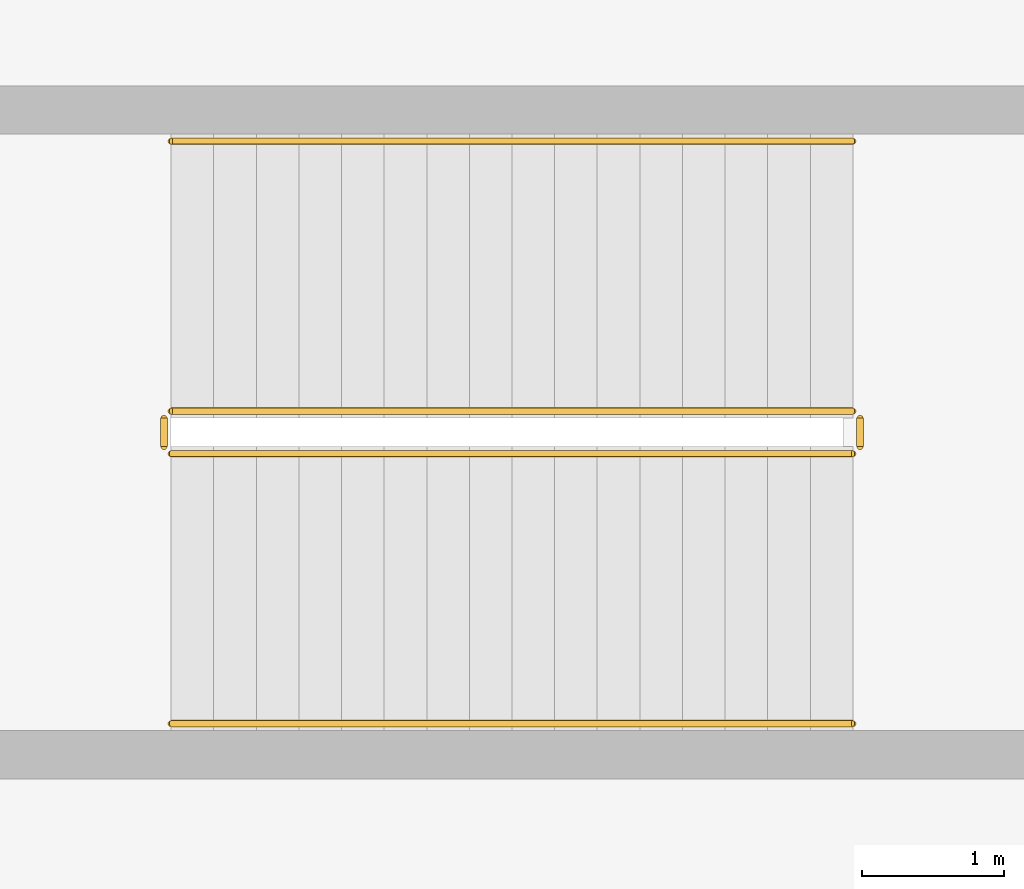
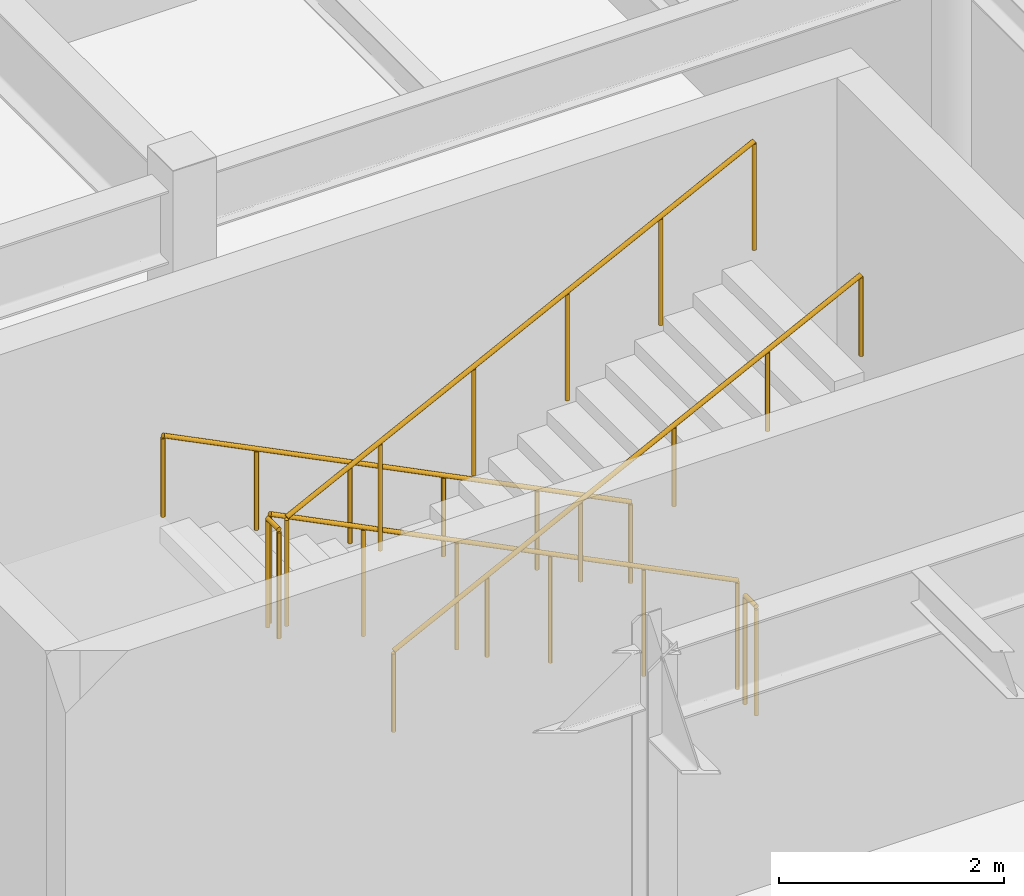
# One storey, part 52 of 57: 6 railings.
"""IFC4 building model written with IfcOpenShell, lengths in metres."""

from ifc_helpers import new_model, si_unit, direction, frame, origin, origin_2d, place, context, subcontext, project, spatial, circle, extrude, material, type_object, element, save


model = new_model("IFC4")

# Units and contexts
model_context = context("Model", 3, precision=1e-05, world=origin(), true_north=direction((0.0, 1.0)))
body_context = subcontext(model_context, "Body", "Model", "MODEL_VIEW")
ifc_project = project(units=[si_unit("LENGTHUNIT", "METRE"), si_unit("AREAUNIT", "SQUARE_METRE"), si_unit("VOLUMEUNIT", "CUBIC_METRE"), si_unit("PLANEANGLEUNIT", "RADIAN"), si_unit("MASSUNIT", "GRAM", prefix="KILO"), si_unit("THERMODYNAMICTEMPERATUREUNIT", "KELVIN")], contexts=[model_context])

# Site, building, storey
site_placement = place(None, origin())
site = spatial("IfcSite", under=ifc_project, at=site_placement, CompositionType="ELEMENT")
building_placement = place(site_placement, origin())
building = spatial("IfcBuilding", under=site, at=building_placement, Name="Lustrewick Department Store", CompositionType="ELEMENT")
storey_placement = place(building_placement, frame((0.0, 0.0, 26.699951171875)))
storey = spatial("IfcBuildingStorey", under=building, at=storey_placement, Name="L06", CompositionType="ELEMENT", Elevation=26.699951171875)

# Railings
ifc_material_1 = material(Name="Painted tubular steel stairwell guardrail", Category="steel")
railing_type_1 = type_object("IfcRailingType", Name="RL-STG", PredefinedType="GUARDRAIL", material=ifc_material_1)
railing_1_placement = place(storey_placement, frame((54.050048828125, 72.050048828125, 0.150146484375)))
element("IfcRailing", 1, at=railing_1_placement, inside=storey, type_object=railing_type_1, Name="L06 ST02 Stair Guard 1", PredefinedType="GUARDRAIL", context=body_context, shape_type="SweptSolid", body=[
    extrude(circle(Radius=0.02392578125, at=origin_2d()), frame((0.0, 0.0, 1.17578125), z_axis=(-0.894436289399, 0.0, 0.44719539824), x_axis=(0.0, -1.0, 0.0)), (0.0, 0.0, 1.0), 5.366455078125),
    extrude(circle(Radius=0.02099609375, at=origin_2d()), origin(), (0.0, 0.0, 1.0), 1.15185546875),
    extrude(circle(Radius=0.02099609375, at=origin_2d()), frame((-0.9599609375, 0.0, 0.47998046875)), (0.0, 0.0, 1.0), 1.15185546875),
    extrude(circle(Radius=0.02099609375, at=origin_2d()), frame((-1.919921875, 0.0, 0.9599609375)), (0.0, 0.0, 1.0), 1.15185546875),
    extrude(circle(Radius=0.02099609375, at=origin_2d()), frame((-2.880126953125, 0.0, 1.43994140625)), (0.0, 0.0, 1.0), 1.15185546875),
    extrude(circle(Radius=0.02099609375, at=origin_2d()), frame((-3.840087890625, 0.0, 1.919921875)), (0.0, 0.0, 1.0), 1.15185546875),
    extrude(circle(Radius=0.02099609375, at=origin_2d()), frame((-4.800048828125, 0.0, 2.39990234375)), (0.0, 0.0, 1.0), 1.15185546875),
])
railing_2_placement = place(storey_placement, frame((49.199951171875, 72.0, 2.550048828125)))
element("IfcRailing", 2, at=railing_2_placement, inside=storey, type_object=railing_type_1, Name="L06 ST02 Stair Guard 2", PredefinedType="GUARDRAIL", context=body_context, shape_type="SweptSolid", body=[
    extrude(circle(Radius=0.02392578125, at=origin_2d()), frame((0.0, 0.0, 1.17578125), z_axis=(0.0, -1.0, 0.0), x_axis=(1.0, 0.0, 0.0)), (0.0, 0.0, 1.0), 0.199951171875),
    extrude(circle(Radius=0.02099609375, at=origin_2d()), origin(), (0.0, 0.0, 1.0), 1.15185546875),
    extrude(circle(Radius=0.02099609375, at=origin_2d()), frame((0.0, -0.199951171875, 0.0)), (0.0, 0.0, 1.0), 1.15185546875),
])
railing_3_placement = place(storey_placement, frame((49.25, 71.75, 2.699951171875)))
element("IfcRailing", 3, at=railing_3_placement, inside=storey, type_object=railing_type_1, Name="L06 ST02 Stair Guard 3", PredefinedType="GUARDRAIL", context=body_context, shape_type="SweptSolid", body=[
    extrude(circle(Radius=0.02392578125, at=origin_2d()), frame((0.0, 0.0, 1.17578125), z_axis=(0.894418092416, 0.0, 0.447231792205), x_axis=(0.0, 1.0, 0.0)), (0.0, 0.0, 1.0), 5.36669921875),
    extrude(circle(Radius=0.02099609375, at=origin_2d()), origin(), (0.0, 0.0, 1.0), 1.15185546875),
    extrude(circle(Radius=0.02099609375, at=origin_2d()), frame((0.9599609375, 0.0, 0.47998046875)), (0.0, 0.0, 1.0), 1.15185546875),
    extrude(circle(Radius=0.02099609375, at=origin_2d()), frame((1.919921875, 0.0, 0.9599609375)), (0.0, 0.0, 1.0), 1.15185546875),
    extrude(circle(Radius=0.02099609375, at=origin_2d()), frame((2.880126953125, 0.0, 1.440185546875)), (0.0, 0.0, 1.0), 1.15185546875),
    extrude(circle(Radius=0.02099609375, at=origin_2d()), frame((3.840087890625, 0.0, 1.920166015625)), (0.0, 0.0, 1.0), 1.15185546875),
    extrude(circle(Radius=0.02099609375, at=origin_2d()), frame((4.800048828125, 0.0, 2.400146484375)), (0.0, 0.0, 1.0), 1.15185546875),
])
railing_4_placement = place(storey_placement, frame((54.10009765625, 72.0, 0.0)))
element("IfcRailing", 4, at=railing_4_placement, inside=storey, type_object=railing_type_1, Name="L06 ST02 Stair Guard 4", PredefinedType="GUARDRAIL", context=body_context, shape_type="SweptSolid", body=[
    extrude(circle(Radius=0.02392578125, at=origin_2d()), frame((0.0, 0.0, 1.17578125), z_axis=(0.0, -1.0, 0.0), x_axis=(1.0, 0.0, 0.0)), (0.0, 0.0, 1.0), 0.199951171875),
    extrude(circle(Radius=0.02099609375, at=origin_2d()), origin(), (0.0, 0.0, 1.0), 1.15185546875),
    extrude(circle(Radius=0.02099609375, at=origin_2d()), frame((0.0, -0.199951171875, 0.0)), (0.0, 0.0, 1.0), 1.15185546875),
])
ifc_material_2 = material(Name="Brushed stainless steel wall handrail", Category="steel")
railing_type_2 = type_object("IfcRailingType", Name="RL-STH", PredefinedType="HANDRAIL", material=ifc_material_2)
railing_5_placement = place(storey_placement, frame((54.050048828125, 73.949951171875, 0.150146484375)))
element("IfcRailing", 5, at=railing_5_placement, inside=storey, type_object=railing_type_2, Name="L06 ST02 Stair Handrail 1", PredefinedType="HANDRAIL", context=body_context, shape_type="SweptSolid", body=[
    extrude(circle(Radius=0.02392578125, at=origin_2d()), frame((0.0, 0.0, 0.8759765625), z_axis=(-0.894436289399, 0.0, 0.44719539824), x_axis=(0.0, -1.0, 0.0)), (0.0, 0.0, 1.0), 5.366455078125),
    extrude(circle(Radius=0.02099609375, at=origin_2d()), origin(), (0.0, 0.0, 1.0), 0.851806640625),
    extrude(circle(Radius=0.02099609375, at=origin_2d()), frame((-0.9599609375, 0.0, 0.47998046875)), (0.0, 0.0, 1.0), 0.851806640625),
    extrude(circle(Radius=0.02099609375, at=origin_2d()), frame((-1.919921875, 0.0, 0.9599609375)), (0.0, 0.0, 1.0), 0.851806640625),
    extrude(circle(Radius=0.02099609375, at=origin_2d()), frame((-2.880126953125, 0.0, 1.43994140625)), (0.0, 0.0, 1.0), 0.851806640625),
    extrude(circle(Radius=0.02099609375, at=origin_2d()), frame((-3.840087890625, 0.0, 1.919921875)), (0.0, 0.0, 1.0), 0.851806640625),
    extrude(circle(Radius=0.02099609375, at=origin_2d()), frame((-4.800048828125, 0.0, 2.39990234375)), (0.0, 0.0, 1.0), 0.851806640625),
])
railing_6_placement = place(storey_placement, frame((49.25, 69.85009765625, 2.699951171875)))
element("IfcRailing", 6, at=railing_6_placement, inside=storey, type_object=railing_type_2, Name="L06 ST02 Stair Handrail 2", PredefinedType="HANDRAIL", context=body_context, shape_type="SweptSolid", body=[
    extrude(circle(Radius=0.02392578125, at=origin_2d()), frame((0.0, 0.0, 0.8759765625), z_axis=(0.894418092416, 0.0, 0.447231792205), x_axis=(0.0, 1.0, 0.0)), (0.0, 0.0, 1.0), 5.36669921875),
    extrude(circle(Radius=0.02099609375, at=origin_2d()), origin(), (0.0, 0.0, 1.0), 0.851806640625),
    extrude(circle(Radius=0.02099609375, at=origin_2d()), frame((0.9599609375, 0.0, 0.47998046875)), (0.0, 0.0, 1.0), 0.851806640625),
    extrude(circle(Radius=0.02099609375, at=origin_2d()), frame((1.919921875, 0.0, 0.9599609375)), (0.0, 0.0, 1.0), 0.851806640625),
    extrude(circle(Radius=0.02099609375, at=origin_2d()), frame((2.880126953125, 0.0, 1.440185546875)), (0.0, 0.0, 1.0), 0.851806640625),
    extrude(circle(Radius=0.02099609375, at=origin_2d()), frame((3.840087890625, 0.0, 1.920166015625)), (0.0, 0.0, 1.0), 0.851806640625),
    extrude(circle(Radius=0.02099609375, at=origin_2d()), frame((4.800048828125, 0.0, 2.400146484375)), (0.0, 0.0, 1.0), 0.851806640625),
])

save(model, "model.ifc")
